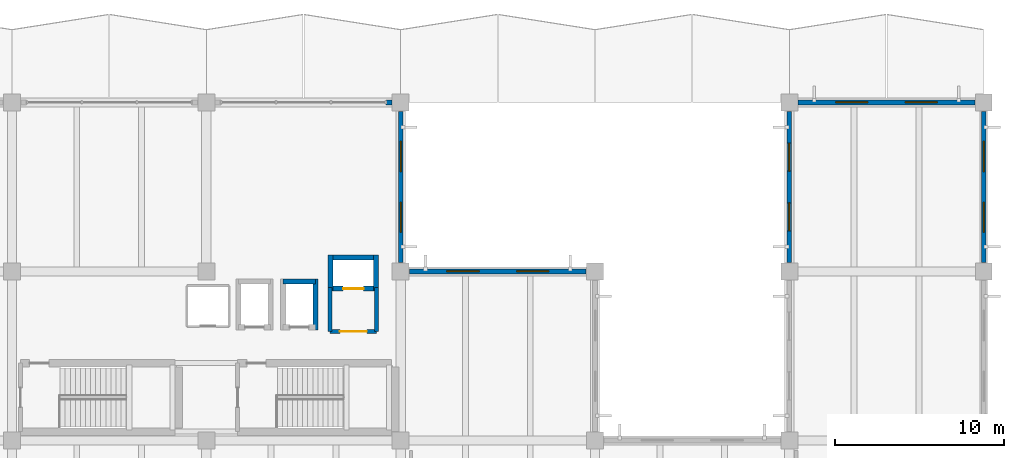
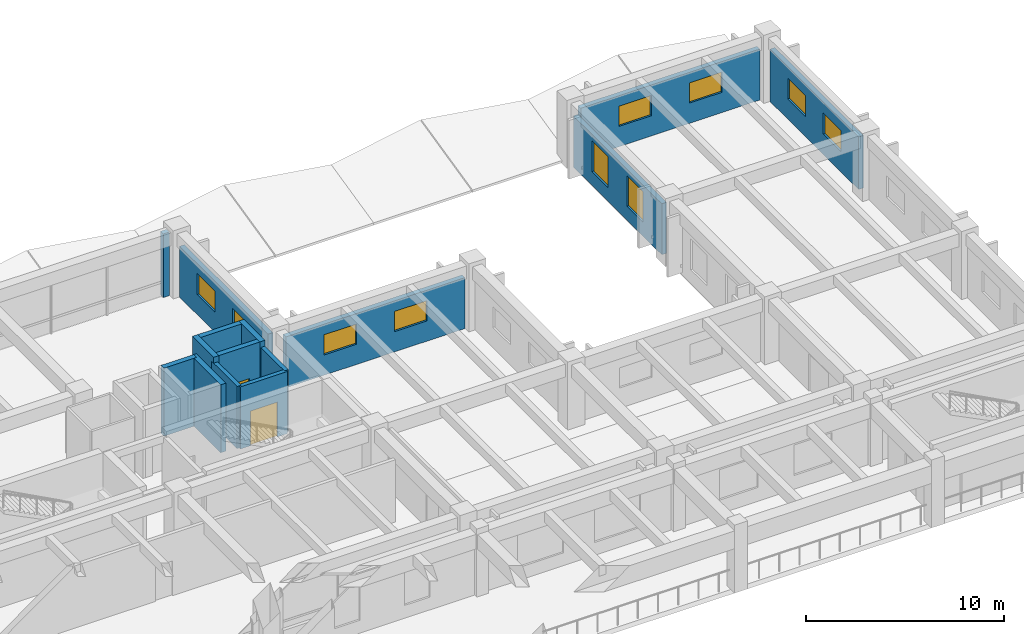
# One storey, part 81 of 98: 15 walls, 10 windows, 2 doors, 12 openings.
"""IFC4 building model written with IfcOpenShell, lengths in metres."""

from ifc_helpers import new_model, si_unit, direction, frame, frame_2d, origin, place, context, subcontext, project, spatial, rectangle, extrude, material, layer, layer_set, type_object, element, fill, save


model = new_model("IFC4")

# Units and contexts
model_context = context("Model", 3, precision=1e-05, world=origin(), true_north=direction((0.0, 1.0)))
body_context = subcontext(model_context, "Body", "Model", "MODEL_VIEW")
ifc_project = project(units=[si_unit("LENGTHUNIT", "METRE"), si_unit("AREAUNIT", "SQUARE_METRE"), si_unit("VOLUMEUNIT", "CUBIC_METRE"), si_unit("PLANEANGLEUNIT", "RADIAN"), si_unit("MASSUNIT", "GRAM", prefix="KILO")], contexts=[model_context])

# Site, building, storey
site_placement = place(None, origin())
site = spatial("IfcSite", under=ifc_project, at=site_placement, CompositionType="ELEMENT")
building_placement = place(site_placement, origin())
building = spatial("IfcBuilding", under=site, at=building_placement, Name="Ologun Quay Terminus", CompositionType="ELEMENT")
storey_placement = place(building_placement, frame((0.0, 0.0, 4.199951171875)))
storey = spatial("IfcBuildingStorey", under=building, at=storey_placement, Name="L01", CompositionType="ELEMENT", Elevation=4.199951171875)

# Wall, openings, windows
ifc_material_1 = material(Name="Concrete C40/50", Category="concrete")
ifc_layer_1 = layer(ifc_material_1, 0.280029296875)
ifc_layer_set_1 = layer_set([ifc_layer_1], Name="Concrete C40/50")
wall_type_1 = type_object("IfcWallType", Name="Courtyard Wing Spandrel Concrete Wall 280", PredefinedType="SOLIDWALL", material=ifc_layer_set_1)
wall_1_placement = place(storey_placement, frame((184.0, 105.320068359375, 0.0), z_axis=(0.0, 0.0, 1.0), x_axis=(0.0, 1.0, 0.0)))
wall_1 = element("IfcWall", 1, at=wall_1_placement, inside=storey, type_object=wall_type_1, Name="EW-02 Facade Wall WEW-EW-L01-9", PredefinedType="SOLIDWALL", context=body_context, shape_type="SweptSolid", body=[
    extrude(rectangle(XDim=8.9599609375, YDim=0.280029296875, at=frame_2d((4.47998046875, 0.0))), origin(), (0.0, 0.0, 1.0), 3.25),
])
opening_1_placement = place(wall_1_placement, frame((1.78662109375, 0.0, 1.25)))
opening_1 = element("IfcOpeningElement", 2, at=opening_1_placement, cuts=wall_1, Name="Opening WN-368", PredefinedType="OPENING", context=body_context, shape_type="SweptSolid", body=[
    extrude(rectangle(XDim=1.800048828125, YDim=1.300048828125, at=frame_2d((0.89990234375, 0.64990234375))), frame((0.0, 0.14990234375, 0.0), z_axis=(0.0, -1.0, 0.0), x_axis=(1.0, 0.0, 0.0)), (0.0, 0.0, 1.0), 0.300048828125),
])
opening_2_placement = place(wall_1_placement, frame((5.373291015625, 0.0, 1.25)))
opening_2 = element("IfcOpeningElement", 3, at=opening_2_placement, cuts=wall_1, Name="Opening WN-369", PredefinedType="OPENING", context=body_context, shape_type="SweptSolid", body=[
    extrude(rectangle(XDim=1.800048828125, YDim=1.300048828125, at=frame_2d((0.89990234375, 0.64990234375))), frame((0.0, 0.14990234375, 0.0), z_axis=(0.0, -1.0, 0.0), x_axis=(1.0, 0.0, 0.0)), (0.0, 0.0, 1.0), 0.300048828125),
])
ifc_material_2 = material(Name="Glass", Category="glass")
window_type_1 = type_object("IfcWindowType", Name="Plant Louvred Acoustic Window 1800x1300", PartitioningType="SINGLE_PANEL", PredefinedType="WINDOW", material=ifc_material_2)
window_1_placement = place(opening_1_placement, origin())
window_1 = element("IfcWindow", 4, at=window_1_placement, inside=storey, type_object=window_type_1, Name="W-38 Window WN-368", OverallHeight=1.300048828125, OverallWidth=1.800048828125, PartitioningType="SINGLE_PANEL", PredefinedType="WINDOW", context=body_context, shape_type="SweptSolid", body=[
    extrude(rectangle(XDim=1.800048828125, YDim=1.300048828125, at=frame_2d((0.89990234375, 0.64990234375))), frame((0.0, 0.030029296875, 0.0), z_axis=(0.0, -1.0, 0.0), x_axis=(1.0, 0.0, 0.0)), (0.0, 0.0, 1.0), 0.06005859375),
])
fill(opening_1, window_1)
window_2_placement = place(opening_2_placement, origin())
window_2 = element("IfcWindow", 5, at=window_2_placement, inside=storey, type_object=window_type_1, Name="W-38 Window WN-369", OverallHeight=1.300048828125, OverallWidth=1.800048828125, PartitioningType="SINGLE_PANEL", PredefinedType="WINDOW", context=body_context, shape_type="SweptSolid", body=[
    extrude(rectangle(XDim=1.800048828125, YDim=1.300048828125, at=frame_2d((0.89990234375, 0.64990234375))), frame((0.0, 0.030029296875, 0.0), z_axis=(0.0, -1.0, 0.0), x_axis=(1.0, 0.0, 0.0)), (0.0, 0.0, 1.0), 0.06005859375),
])
fill(opening_2, window_2)

wall_2_placement = place(storey_placement, frame((173.02001953125, 114.800048828125, 0.0), z_axis=(0.0, 0.0, 1.0), x_axis=(1.0, 0.0, 0.0)))
wall_2 = element("IfcWall", 6, at=wall_2_placement, inside=storey, type_object=wall_type_1, Name="EW-02 Facade Wall WEW-EW-L01-10", PredefinedType="SOLIDWALL", context=body_context, shape_type="SweptSolid", body=[
    extrude(rectangle(XDim=10.4599609375, YDim=0.280029296875, at=frame_2d((5.22998046875, 0.0))), origin(), (0.0, 0.0, 1.0), 3.150146484375),
])
opening_3_placement = place(wall_2_placement, frame((2.219970703125, 0.0, 1.25)))
opening_3 = element("IfcOpeningElement", 7, at=opening_3_placement, cuts=wall_2, Name="Opening WN-370", PredefinedType="OPENING", context=body_context, shape_type="SweptSolid", body=[
    extrude(rectangle(XDim=1.89990234375, YDim=1.25, at=frame_2d((0.949951171875, 0.625))), frame((0.0, 0.14990234375, 0.0), z_axis=(0.0, -1.0, 0.0), x_axis=(1.0, 0.0, 0.0)), (0.0, 0.0, 1.0), 0.300048828125),
])
opening_4_placement = place(wall_2_placement, frame((6.340087890625, 0.0, 1.25)))
opening_4 = element("IfcOpeningElement", 8, at=opening_4_placement, cuts=wall_2, Name="Opening WN-371", PredefinedType="OPENING", context=body_context, shape_type="SweptSolid", body=[
    extrude(rectangle(XDim=1.89990234375, YDim=1.25, at=frame_2d((0.949951171875, 0.625))), frame((0.0, 0.14990234375, 0.0), z_axis=(0.0, -1.0, 0.0), x_axis=(1.0, 0.0, 0.0)), (0.0, 0.0, 1.0), 0.300048828125),
])
ifc_material_3 = material(Name="Glass", Category="glass")
window_type_2 = type_object("IfcWindowType", Name="Signalling Equipment High Window 1900x1250", PartitioningType="SINGLE_PANEL", PredefinedType="WINDOW", material=ifc_material_3)
window_3_placement = place(opening_3_placement, origin())
window_3 = element("IfcWindow", 9, at=window_3_placement, inside=storey, type_object=window_type_2, Name="W-18 Window WN-370", OverallHeight=1.25, OverallWidth=1.89990234375, PartitioningType="SINGLE_PANEL", PredefinedType="WINDOW", context=body_context, shape_type="SweptSolid", body=[
    extrude(rectangle(XDim=1.89990234375, YDim=1.25, at=frame_2d((0.949951171875, 0.625))), frame((0.0, 0.030029296875, 0.0), z_axis=(0.0, -1.0, 0.0), x_axis=(1.0, 0.0, 0.0)), (0.0, 0.0, 1.0), 0.06005859375),
])
fill(opening_3, window_3)
window_4_placement = place(opening_4_placement, origin())
window_4 = element("IfcWindow", 10, at=window_4_placement, inside=storey, type_object=window_type_2, Name="W-18 Window WN-371", OverallHeight=1.25, OverallWidth=1.89990234375, PartitioningType="SINGLE_PANEL", PredefinedType="WINDOW", context=body_context, shape_type="SweptSolid", body=[
    extrude(rectangle(XDim=1.89990234375, YDim=1.25, at=frame_2d((0.949951171875, 0.625))), frame((0.0, 0.030029296875, 0.0), z_axis=(0.0, -1.0, 0.0), x_axis=(1.0, 0.0, 0.0)), (0.0, 0.0, 1.0), 0.06005859375),
])
fill(opening_4, window_4)

wall_3_placement = place(storey_placement, frame((172.5, 105.320068359375, 0.0), z_axis=(0.0, 0.0, 1.0), x_axis=(0.0, 1.0, 0.0)))
wall_3 = element("IfcWall", 11, at=wall_3_placement, inside=storey, type_object=wall_type_1, Name="EW-02 Facade Wall WEW-EW-L01-12", PredefinedType="SOLIDWALL", context=body_context, shape_type="SweptSolid", body=[
    extrude(rectangle(XDim=8.9599609375, YDim=0.280029296875, at=frame_2d((4.47998046875, 0.0))), origin(), (0.0, 0.0, 1.0), 3.150146484375),
])
opening_5_placement = place(wall_3_placement, frame((1.88671875, 0.0, 0.85009765625)))
opening_5 = element("IfcOpeningElement", 12, at=opening_5_placement, cuts=wall_3, Name="Opening WN-374", PredefinedType="OPENING", context=body_context, shape_type="SweptSolid", body=[
    extrude(rectangle(XDim=1.64990234375, YDim=1.89990234375, at=frame_2d((0.824951171875, 0.949951171875))), frame((0.0, 0.14990234375, 0.0), z_axis=(0.0, -1.0, 0.0), x_axis=(1.0, 0.0, 0.0)), (0.0, 0.0, 1.0), 0.300048828125),
])
opening_6_placement = place(wall_3_placement, frame((5.42333984375, 0.0, 0.85009765625)))
opening_6 = element("IfcOpeningElement", 13, at=opening_6_placement, cuts=wall_3, Name="Opening WN-375", PredefinedType="OPENING", context=body_context, shape_type="SweptSolid", body=[
    extrude(rectangle(XDim=1.64990234375, YDim=1.89990234375, at=frame_2d((0.824951171875, 0.949951171875))), frame((0.0, 0.14990234375, 0.0), z_axis=(0.0, -1.0, 0.0), x_axis=(1.0, 0.0, 0.0)), (0.0, 0.0, 1.0), 0.300048828125),
])
ifc_material_4 = material(Name="Glass", Category="glass")
window_type_3 = type_object("IfcWindowType", Name="Operations Admin Solar Window 1650x1900", PartitioningType="SINGLE_PANEL", PredefinedType="WINDOW", material=ifc_material_4)
window_5_placement = place(opening_5_placement, origin())
window_5 = element("IfcWindow", 14, at=window_5_placement, inside=storey, type_object=window_type_3, Name="W-21 Window WN-374", OverallHeight=1.89990234375, OverallWidth=1.64990234375, PartitioningType="SINGLE_PANEL", PredefinedType="WINDOW", context=body_context, shape_type="SweptSolid", body=[
    extrude(rectangle(XDim=1.64990234375, YDim=1.89990234375, at=frame_2d((0.824951171875, 0.949951171875))), frame((0.0, 0.030029296875, 0.0), z_axis=(0.0, -1.0, 0.0), x_axis=(1.0, 0.0, 0.0)), (0.0, 0.0, 1.0), 0.06005859375),
])
fill(opening_5, window_5)
window_6_placement = place(opening_6_placement, origin())
window_6 = element("IfcWindow", 15, at=window_6_placement, inside=storey, type_object=window_type_3, Name="W-21 Window WN-375", OverallHeight=1.89990234375, OverallWidth=1.64990234375, PartitioningType="SINGLE_PANEL", PredefinedType="WINDOW", context=body_context, shape_type="SweptSolid", body=[
    extrude(rectangle(XDim=1.64990234375, YDim=1.89990234375, at=frame_2d((0.824951171875, 0.949951171875))), frame((0.0, 0.030029296875, 0.0), z_axis=(0.0, -1.0, 0.0), x_axis=(1.0, 0.0, 0.0)), (0.0, 0.0, 1.0), 0.06005859375),
])
fill(opening_6, window_6)

wall_4_placement = place(storey_placement, frame((150.02001953125, 104.800048828125, 0.0), z_axis=(0.0, 0.0, 1.0), x_axis=(1.0, 0.0, 0.0)))
wall_4 = element("IfcWall", 16, at=wall_4_placement, inside=storey, type_object=wall_type_1, Name="EW-02 Facade Wall WEW-EW-L01-15", PredefinedType="SOLIDWALL", context=body_context, shape_type="SweptSolid", body=[
    extrude(rectangle(XDim=10.4599609375, YDim=0.280029296875, at=frame_2d((5.22998046875, 0.0))), origin(), (0.0, 0.0, 1.0), 3.150146484375),
])
opening_7_placement = place(wall_4_placement, frame((2.219970703125, 0.0, 1.25)))
opening_7 = element("IfcOpeningElement", 17, at=opening_7_placement, cuts=wall_4, Name="Opening WN-380", PredefinedType="OPENING", context=body_context, shape_type="SweptSolid", body=[
    extrude(rectangle(XDim=1.89990234375, YDim=1.25, at=frame_2d((0.949951171875, 0.625))), frame((0.0, 0.14990234375, 0.0), z_axis=(0.0, -1.0, 0.0), x_axis=(1.0, 0.0, 0.0)), (0.0, 0.0, 1.0), 0.300048828125),
])
opening_8_placement = place(wall_4_placement, frame((6.340087890625, 0.0, 1.25)))
opening_8 = element("IfcOpeningElement", 18, at=opening_8_placement, cuts=wall_4, Name="Opening WN-381", PredefinedType="OPENING", context=body_context, shape_type="SweptSolid", body=[
    extrude(rectangle(XDim=1.89990234375, YDim=1.25, at=frame_2d((0.949951171875, 0.625))), frame((0.0, 0.14990234375, 0.0), z_axis=(0.0, -1.0, 0.0), x_axis=(1.0, 0.0, 0.0)), (0.0, 0.0, 1.0), 0.300048828125),
])
window_7_placement = place(opening_7_placement, origin())
window_7 = element("IfcWindow", 19, at=window_7_placement, inside=storey, type_object=window_type_2, Name="W-18 Window WN-380", OverallHeight=1.25, OverallWidth=1.89990234375, PartitioningType="SINGLE_PANEL", PredefinedType="WINDOW", context=body_context, shape_type="SweptSolid", body=[
    extrude(rectangle(XDim=1.89990234375, YDim=1.25, at=frame_2d((0.949951171875, 0.625))), frame((0.0, 0.030029296875, 0.0), z_axis=(0.0, -1.0, 0.0), x_axis=(1.0, 0.0, 0.0)), (0.0, 0.0, 1.0), 0.06005859375),
])
fill(opening_7, window_7)
window_8_placement = place(opening_8_placement, origin())
window_8 = element("IfcWindow", 20, at=window_8_placement, inside=storey, type_object=window_type_2, Name="W-18 Window WN-381", OverallHeight=1.25, OverallWidth=1.89990234375, PartitioningType="SINGLE_PANEL", PredefinedType="WINDOW", context=body_context, shape_type="SweptSolid", body=[
    extrude(rectangle(XDim=1.89990234375, YDim=1.25, at=frame_2d((0.949951171875, 0.625))), frame((0.0, 0.030029296875, 0.0), z_axis=(0.0, -1.0, 0.0), x_axis=(1.0, 0.0, 0.0)), (0.0, 0.0, 1.0), 0.06005859375),
])
fill(opening_8, window_8)

wall_5_placement = place(storey_placement, frame((149.5, 105.320068359375, 0.0), z_axis=(0.0, 0.0, 1.0), x_axis=(0.0, 1.0, 0.0)))
wall_5 = element("IfcWall", 21, at=wall_5_placement, inside=storey, type_object=wall_type_1, Name="EW-02 Facade Wall WEW-EW-L01-16", PredefinedType="SOLIDWALL", context=body_context, shape_type="SweptSolid", body=[
    extrude(rectangle(XDim=8.9599609375, YDim=0.280029296875, at=frame_2d((4.47998046875, 0.0))), origin(), (0.0, 0.0, 1.0), 3.150146484375),
])
opening_9_placement = place(wall_5_placement, frame((1.78662109375, 0.0, 1.25)))
opening_9 = element("IfcOpeningElement", 22, at=opening_9_placement, cuts=wall_5, Name="Opening WN-382", PredefinedType="OPENING", context=body_context, shape_type="SweptSolid", body=[
    extrude(rectangle(XDim=1.800048828125, YDim=1.300048828125, at=frame_2d((0.89990234375, 0.64990234375))), frame((0.0, 0.14990234375, 0.0), z_axis=(0.0, -1.0, 0.0), x_axis=(1.0, 0.0, 0.0)), (0.0, 0.0, 1.0), 0.300048828125),
])
opening_10_placement = place(wall_5_placement, frame((5.373291015625, 0.0, 1.25)))
opening_10 = element("IfcOpeningElement", 23, at=opening_10_placement, cuts=wall_5, Name="Opening WN-383", PredefinedType="OPENING", context=body_context, shape_type="SweptSolid", body=[
    extrude(rectangle(XDim=1.800048828125, YDim=1.300048828125, at=frame_2d((0.89990234375, 0.64990234375))), frame((0.0, 0.14990234375, 0.0), z_axis=(0.0, -1.0, 0.0), x_axis=(1.0, 0.0, 0.0)), (0.0, 0.0, 1.0), 0.300048828125),
])
window_9_placement = place(opening_9_placement, origin())
window_9 = element("IfcWindow", 24, at=window_9_placement, inside=storey, type_object=window_type_1, Name="W-38 Window WN-382", OverallHeight=1.300048828125, OverallWidth=1.800048828125, PartitioningType="SINGLE_PANEL", PredefinedType="WINDOW", context=body_context, shape_type="SweptSolid", body=[
    extrude(rectangle(XDim=1.800048828125, YDim=1.300048828125, at=frame_2d((0.89990234375, 0.64990234375))), frame((0.0, 0.030029296875, 0.0), z_axis=(0.0, -1.0, 0.0), x_axis=(1.0, 0.0, 0.0)), (0.0, 0.0, 1.0), 0.06005859375),
])
fill(opening_9, window_9)
window_10_placement = place(opening_10_placement, origin())
window_10 = element("IfcWindow", 25, at=window_10_placement, inside=storey, type_object=window_type_1, Name="W-38 Window WN-383", OverallHeight=1.300048828125, OverallWidth=1.800048828125, PartitioningType="SINGLE_PANEL", PredefinedType="WINDOW", context=body_context, shape_type="SweptSolid", body=[
    extrude(rectangle(XDim=1.800048828125, YDim=1.300048828125, at=frame_2d((0.89990234375, 0.64990234375))), frame((0.0, 0.030029296875, 0.0), z_axis=(0.0, -1.0, 0.0), x_axis=(1.0, 0.0, 0.0)), (0.0, 0.0, 1.0), 0.06005859375),
])
fill(opening_10, window_10)

# Wall
wall_6_placement = place(storey_placement, frame((148.6298828125, 114.800048828125, 0.0), z_axis=(0.0, 0.0, 1.0), x_axis=(1.0, 0.0, 0.0)))
element("IfcWall", 26, at=wall_6_placement, inside=storey, type_object=wall_type_1, Name="Curtain Wall Jamb Pier CW-L01-127-J2", PredefinedType="SOLIDWALL", context=body_context, shape_type="SweptSolid", body=[
    extrude(rectangle(XDim=0.35009765625, YDim=0.280029296875, at=frame_2d((0.175048828125, 0.0))), origin(), (0.0, 0.0, 1.0), 3.929931640625),
])

# Wall, opening, door
ifc_material_5 = material(Name="Concrete C40/50", Category="concrete")
ifc_layer_2 = layer(ifc_material_5, 0.239990234375)
ifc_layer_set_2 = layer_set([ifc_layer_2], Name="Concrete C40/50")
wall_type_2 = type_object("IfcWallType", Name="Fire Compartment Blockwork Wall 240", PredefinedType="SOLIDWALL", material=ifc_layer_set_2)
wall_7_placement = place(storey_placement, frame((145.320068359375, 101.25, 0.0), z_axis=(0.0, 0.0, 1.0), x_axis=(1.0, 0.0, 0.0)))
wall_7 = element("IfcWall", 27, at=wall_7_placement, inside=storey, type_object=wall_type_2, Name="PW-01 Partition EFFL-S", PredefinedType="SOLIDWALL", context=body_context, shape_type="SweptSolid", body=[
    extrude(rectangle(XDim=2.760009765625, YDim=0.239990234375, at=frame_2d((1.3798828125, 0.0))), origin(), (0.0, 0.0, 1.0), 3.840087890625),
])
opening_11_placement = place(wall_7_placement, frame((0.580078125, 0.0, 0.0)))
opening_11 = element("IfcOpeningElement", 28, at=opening_11_placement, cuts=wall_7, Name="Opening ID-180", PredefinedType="OPENING", context=body_context, shape_type="SweptSolid", body=[
    extrude(rectangle(XDim=1.60009765625, YDim=2.14990234375, at=frame_2d((0.800048828125, 1.074951171875))), frame((0.0, 0.1298828125, 0.0), z_axis=(0.0, -1.0, 0.0), x_axis=(1.0, 0.0, 0.0)), (0.0, 0.0, 1.0), 0.260009765625),
])
ifc_material_6 = material(Name="Steel S355", Category="steel")
door_type_1 = type_object("IfcDoorType", Name="Firefighting Lobby Double Smoke Door 1600x2150", OperationType="DOUBLE_DOOR_SINGLE_SWING", PredefinedType="DOOR", material=ifc_material_6)
door_1_placement = place(opening_11_placement, origin())
door_1 = element("IfcDoor", 29, at=door_1_placement, inside=storey, type_object=door_type_1, Name="FD-02 Door ID-180", OperationType="DOUBLE_DOOR_SINGLE_SWING", OverallHeight=2.14990234375, OverallWidth=1.60009765625, PredefinedType="DOOR", context=body_context, shape_type="SweptSolid", body=[
    extrude(rectangle(XDim=1.60009765625, YDim=2.14990234375, at=frame_2d((0.800048828125, 1.074951171875))), frame((0.0, 0.02490234375, 0.0), z_axis=(0.0, -1.0, 0.0), x_axis=(1.0, 0.0, 0.0)), (0.0, 0.0, 1.0), 0.050048828125),
])
fill(opening_11, door_1)

# Walls
for number, where, z_axis, x_axis, name in (
    (30, (145.320068359375, 101.25, 0.0), (0.0, 0.0, 1.0), (0.0, 1.0, 0.0), "PW-01 Partition EFFL-W"),
    (31, (148.080078125, 101.25, 0.0), (0.0, 0.0, 1.0), (0.0, 1.0, 0.0), "PW-01 Partition EFFL-E"),
):
    element("IfcWall", number, at=place(storey_placement, frame(where, z_axis=z_axis, x_axis=x_axis)), inside=storey, type_object=wall_type_2, Name=name, PredefinedType="SOLIDWALL", context=body_context, shape_type="SweptSolid", body=[
        extrude(rectangle(XDim=2.60009765625, YDim=0.239990234375, at=frame_2d((1.300048828125, 0.0))), origin(), (0.0, 0.0, 1.0), 3.840087890625),
    ])

# Wall, opening, door
ifc_material_7 = material(Name="Concrete C40/50", Category="concrete")
ifc_layer_3 = layer(ifc_material_7, 0.300048828125)
ifc_layer_set_3 = layer_set([ifc_layer_3], Name="Concrete C40/50")
wall_type_3 = type_object("IfcWallType", Name="Lift Shaft Structural Shear Wall 300", PredefinedType="SHEAR", material=ifc_layer_set_3)
wall_8_placement = place(storey_placement, frame((145.35009765625, 103.780029296875, 0.0), z_axis=(0.0, 0.0, 1.0), x_axis=(1.0, 0.0, 0.0)))
wall_8 = element("IfcWall", 32, at=wall_8_placement, inside=storey, type_object=wall_type_3, Name="Lift FFL-02 Shaft Wall S L01", PredefinedType="SHEAR", context=body_context, shape_type="SweptSolid", body=[
    extrude(rectangle(XDim=2.699951171875, YDim=0.300048828125, at=frame_2d((1.35009765625, 0.0))), origin(), (0.0, 0.0, 1.0), 4.199951171875),
])
opening_12_placement = place(wall_8_placement, frame((0.75, 0.0, 0.0)))
opening_12 = element("IfcOpeningElement", 33, at=opening_12_placement, cuts=wall_8, Name="Opening ID-011", PredefinedType="OPENING", context=body_context, shape_type="SweptSolid", body=[
    extrude(rectangle(XDim=1.199951171875, YDim=2.14990234375, at=frame_2d((0.60009765625, 1.074951171875))), frame((0.0, 0.16015625, 0.0), z_axis=(0.0, -1.0, 0.0), x_axis=(1.0, 0.0, 0.0)), (0.0, 0.0, 1.0), 0.320068359375),
])
ifc_material_8 = material(Name="Steel S355", Category="steel")
door_type_2 = type_object("IfcDoorType", Name="Firefighting Lift Landing Sliding Door 1200x2150", OperationType="SLIDING_TO_RIGHT", PredefinedType="DOOR", material=ifc_material_8)
door_2_placement = place(opening_12_placement, origin())
door_2 = element("IfcDoor", 34, at=door_2_placement, inside=storey, type_object=door_type_2, Name="LD-02 Door ID-011", OperationType="SLIDING_TO_RIGHT", OverallHeight=2.14990234375, OverallWidth=1.199951171875, PredefinedType="DOOR", context=body_context, shape_type="SweptSolid", body=[
    extrude(rectangle(XDim=1.199951171875, YDim=2.14990234375, at=frame_2d((0.60009765625, 1.074951171875))), frame((0.0, 0.02490234375, 0.0), z_axis=(0.0, -1.0, 0.0), x_axis=(1.0, 0.0, 0.0)), (0.0, 0.0, 1.0), 0.050048828125),
])
fill(opening_12, door_2)

# Walls
wall_9_placement = place(storey_placement, frame((145.35009765625, 105.6201171875, 0.0), z_axis=(0.0, 0.0, 1.0), x_axis=(1.0, 0.0, 0.0)))
element("IfcWall", 35, at=wall_9_placement, inside=storey, type_object=wall_type_3, Name="Lift FFL-02 Shaft Wall N L01", PredefinedType="SHEAR", context=body_context, shape_type="SweptSolid", body=[
    extrude(rectangle(XDim=2.699951171875, YDim=0.300048828125, at=frame_2d((1.35009765625, 0.0))), origin(), (0.0, 0.0, 1.0), 4.199951171875),
])
for number, where, z_axis, x_axis, name in (
    (36, (145.35009765625, 103.6298828125, 0.0), (0.0, 0.0, 1.0), (0.0, 1.0, 0.0), "Lift FFL-02 Shaft Wall W L01"),
    (37, (148.050048828125, 103.6298828125, 0.0), (0.0, 0.0, 1.0), (0.0, 1.0, 0.0), "Lift FFL-02 Shaft Wall E L01"),
):
    element("IfcWall", number, at=place(storey_placement, frame(where, z_axis=z_axis, x_axis=x_axis)), inside=storey, type_object=wall_type_3, Name=name, PredefinedType="SHEAR", context=body_context, shape_type="SweptSolid", body=[
        extrude(rectangle(XDim=2.14013671875, YDim=0.300048828125, at=frame_2d((1.070068359375, 0.0))), origin(), (0.0, 0.0, 1.0), 4.199951171875),
    ])
wall_10_placement = place(storey_placement, frame((142.550048828125, 104.199951171875, 0.0), z_axis=(0.0, 0.0, 1.0), x_axis=(1.0, 0.0, 0.0)))
element("IfcWall", 38, at=wall_10_placement, inside=storey, type_object=wall_type_3, Name="Lift PL-E2 Shaft Wall N L01", PredefinedType="SHEAR", context=body_context, shape_type="SweptSolid", body=[
    extrude(rectangle(XDim=1.89990234375, YDim=0.300048828125, at=frame_2d((0.949951171875, 0.0))), origin(), (0.0, 0.0, 1.0), 4.199951171875),
])
wall_11_placement = place(storey_placement, frame((144.449951171875, 101.35009765625, 0.0), z_axis=(0.0, 0.0, 1.0), x_axis=(0.0, 1.0, 0.0)))
element("IfcWall", 39, at=wall_11_placement, inside=storey, type_object=wall_type_3, Name="Lift PL-E2 Shaft Wall E L01", PredefinedType="SHEAR", context=body_context, shape_type="SweptSolid", body=[
    extrude(rectangle(XDim=3.0, YDim=0.300048828125, at=frame_2d((1.5, 0.0))), origin(), (0.0, 0.0, 1.0), 4.199951171875),
])

save(model, "model.ifc")
